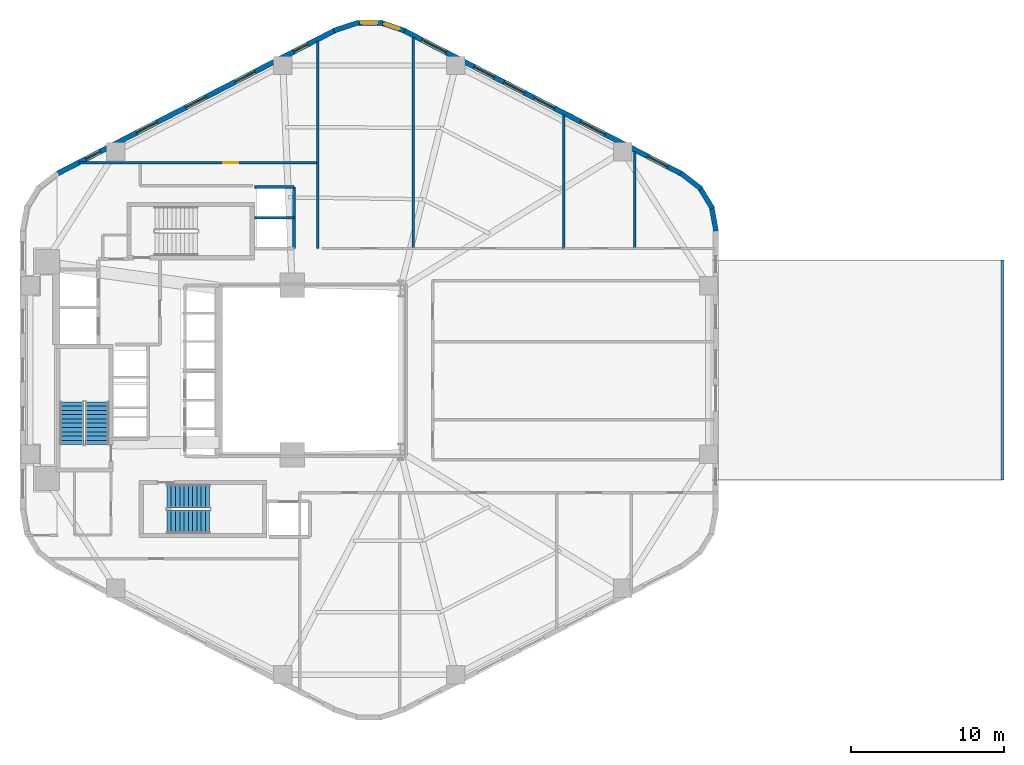
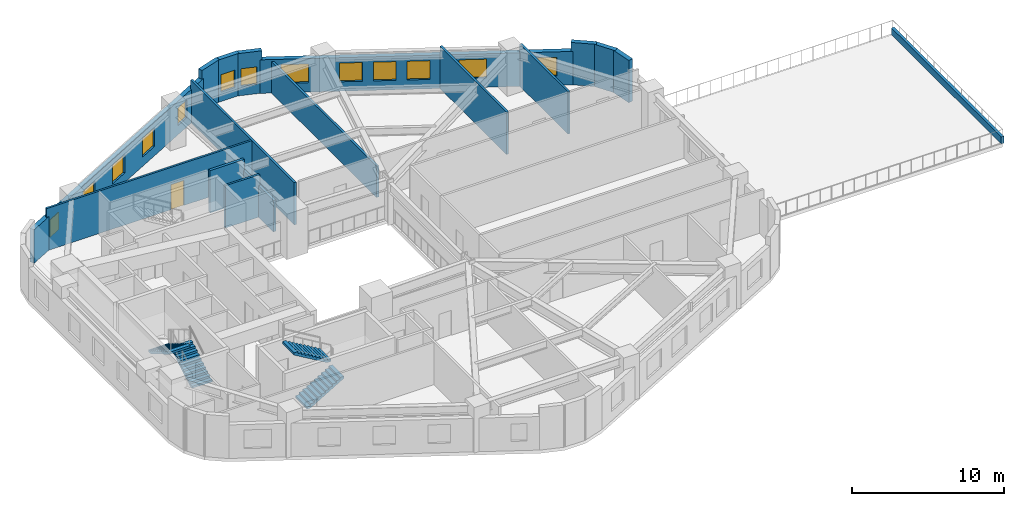
# One storey, part 5 of 8: 17 walls, 13 windows, 4 stair flights, 1 door, 14 openings, 2 elements without a shape of their own.
"""IFC4 building model written with IfcOpenShell, lengths in metres."""

from ifc_helpers import new_model, si_unit, direction, frame, frame_2d, origin, place, context, subcontext, project, spatial, polyline, rectangle, outline, extrude, material, layer, layer_set, type_object, element, fill, aggregate, save


model = new_model("IFC4")

# Units and contexts
model_context = context("Model", 3, precision=1e-05, world=origin(), true_north=direction((0.0, 1.0)))
body_context = subcontext(model_context, "Body", "Model", "MODEL_VIEW")
ifc_project = project(units=[si_unit("LENGTHUNIT", "METRE"), si_unit("AREAUNIT", "SQUARE_METRE"), si_unit("VOLUMEUNIT", "CUBIC_METRE"), si_unit("PLANEANGLEUNIT", "RADIAN"), si_unit("MASSUNIT", "GRAM", prefix="KILO"), si_unit("THERMODYNAMICTEMPERATUREUNIT", "KELVIN"), si_unit("POWERUNIT", "WATT")], contexts=[model_context])

# Site, building, storey
site_placement = place(None, origin())
site = spatial("IfcSite", under=ifc_project, at=site_placement, CompositionType="ELEMENT")
building_placement = place(site_placement, origin())
building = spatial("IfcBuilding", under=site, at=building_placement, Name="Skarre Station Tower", CompositionType="ELEMENT")
storey_placement = place(building_placement, frame((0.0, 0.0, 63.5)))
storey = spatial("IfcBuildingStorey", under=building, at=storey_placement, Name="L16", CompositionType="ELEMENT", Elevation=63.5)

# Wall, opening, door
ifc_material_1 = material(Name="Acoustic Steel-Stud Gypsum Partition", Category="steel")
ifc_layer_1 = layer(ifc_material_1, 0.14990234375, Name="Acoustic Steel-Stud Gypsum Partition")
ifc_layer_set_1 = layer_set([ifc_layer_1], Name="Acoustic Steel-Stud Gypsum Partition")
wall_type_1 = type_object("IfcWallType", Name="Fire-Rated Corridor Acoustic Partition 150", PredefinedType="PARTITIONING", material=ifc_layer_set_1)
wall_1_placement = place(storey_placement, frame((34.0, 37.580078125, 0.0), z_axis=(0.0, 0.0, 1.0), x_axis=(-1.0, 0.0, 0.0)))
wall_1 = element("IfcWall", 1, at=wall_1_placement, inside=storey, type_object=wall_type_1, Name="L16 Interior Partition WL-PT-L16-NWW1-CW", PredefinedType="PARTITIONING", context=body_context, shape_type="SweptSolid", body=[
    extrude(rectangle(XDim=15.60009765625, YDim=0.14990234375, at=frame_2d((7.800048828125, 0.0))), origin(), (0.0, 0.0, 1.0), 3.389892578125),
])
opening_1_placement = place(wall_1_placement, frame((5.195068359375, 0.0, 0.0)))
opening_1 = element("IfcOpeningElement", 2, at=opening_1_placement, cuts=wall_1, Name="Opening DR-FD60", PredefinedType="OPENING", context=body_context, shape_type="SweptSolid", body=[
    extrude(rectangle(XDim=0.9599609375, YDim=2.0, at=frame_2d((0.47998046875, 1.0))), frame((0.0, 0.0849609375, 0.0), z_axis=(0.0, -1.0, 0.0), x_axis=(1.0, 0.0, 0.0)), (0.0, 0.0, 1.0), 0.169921875),
])
ifc_material_2 = material(Name="Nordic White-Oak Veneer Solid-Core Fire Leaf", Category="wood")
door_type = type_object("IfcDoorType", Name="Corridor Suite Entry Fire Door FD60 960x2150", OperationType="SINGLE_SWING_LEFT", PredefinedType="DOOR", material=ifc_material_2)
door_placement = place(opening_1_placement, origin())
door = element("IfcDoor", 3, at=door_placement, inside=storey, type_object=door_type, Name="L16 NWW1 Entry Door", OperationType="SINGLE_SWING_LEFT", OverallHeight=2.0, OverallWidth=0.9599609375, PredefinedType="DOOR", context=body_context, shape_type="SweptSolid", body=[
    extrude(rectangle(XDim=0.9599609375, YDim=2.0, at=frame_2d((0.47998046875, 1.0))), frame((0.0, 0.02490234375, 0.0), z_axis=(0.0, -1.0, 0.0), x_axis=(1.0, 0.0, 0.0)), (0.0, 0.0, 1.0), 0.050048828125),
])
fill(opening_1, door)

# Wall, openings, windows
ifc_material_3 = material(Name="Precast concrete C45/55", Category="concrete")
ifc_layer_2 = layer(ifc_material_3, 0.340087890625, Name="Precast concrete C45/55")
ifc_layer_set_2 = layer_set([ifc_layer_2], Name="Precast concrete C45/55")
wall_type_2 = type_object("IfcWallType", Name="Nordic Honed Precast Facet Wall 340", PredefinedType="STANDARD", material=ifc_layer_set_2)
wall_2_placement = place(storey_placement, frame((39.631103515625, 46.257080078125, 0.0), z_axis=(0.0, 0.0, 1.0), x_axis=(0.888634413993, -0.458616264721, 0.0)))
wall_2 = element("IfcWall", 4, at=wall_2_placement, inside=storey, type_object=wall_type_2, Name="L16 Facet 0 Nordic Precast Masonry Wall", PredefinedType="STANDARD", context=body_context, shape_type="SweptSolid", body=[
    extrude(rectangle(XDim=20.53125, YDim=0.340087890625, at=frame_2d((10.265625, 0.0))), origin(), (0.0, 0.0, 1.0), 2.68408203125),
])
opening_2_placement = place(wall_2_placement, frame((1.366943359375, 0.0, 0.75)))
opening_2 = element("IfcOpeningElement", 5, at=opening_2_placement, cuts=wall_2, Name="Opening WN-Z1A", PredefinedType="OPENING", context=body_context, shape_type="SweptSolid", body=[
    extrude(rectangle(XDim=1.800048828125, YDim=1.5, at=frame_2d((0.89990234375, 0.75))), frame((0.0, 0.179931640625, 0.0), z_axis=(0.0, -1.0, 0.0), x_axis=(1.0, 0.0, 0.0)), (0.0, 0.0, 1.0), 0.360107421875),
])
opening_3_placement = place(wall_2_placement, frame((5.20703125, 0.0, 0.75)))
opening_3 = element("IfcOpeningElement", 6, at=opening_3_placement, cuts=wall_2, Name="Opening WN-Z1B", PredefinedType="OPENING", context=body_context, shape_type="SweptSolid", body=[
    extrude(rectangle(XDim=1.5, YDim=1.5, at=frame_2d((0.75, 0.75))), frame((0.0, 0.179931640625, 0.0), z_axis=(0.0, -1.0, 0.0), x_axis=(1.0, 0.0, 0.0)), (0.0, 0.0, 1.0), 0.360107421875),
])
opening_4_placement = place(wall_2_placement, frame((7.428955078125, 0.0, 0.75)))
opening_4 = element("IfcOpeningElement", 7, at=opening_4_placement, cuts=wall_2, Name="Opening WN-Z1B", PredefinedType="OPENING", context=body_context, shape_type="SweptSolid", body=[
    extrude(rectangle(XDim=1.5, YDim=1.5, at=frame_2d((0.75, 0.75))), frame((0.0, 0.179931640625, 0.0), z_axis=(0.0, -1.0, 0.0), x_axis=(1.0, 0.0, 0.0)), (0.0, 0.0, 1.0), 0.360107421875),
])
opening_5_placement = place(wall_2_placement, frame((9.64990234375, 0.0, 0.75)))
opening_5 = element("IfcOpeningElement", 8, at=opening_5_placement, cuts=wall_2, Name="Opening WN-Z1B", PredefinedType="OPENING", context=body_context, shape_type="SweptSolid", body=[
    extrude(rectangle(XDim=1.5, YDim=1.5, at=frame_2d((0.75, 0.75))), frame((0.0, 0.179931640625, 0.0), z_axis=(0.0, -1.0, 0.0), x_axis=(1.0, 0.0, 0.0)), (0.0, 0.0, 1.0), 0.360107421875),
])
opening_6_placement = place(wall_2_placement, frame((13.06005859375, 0.0, 0.75)))
opening_6 = element("IfcOpeningElement", 9, at=opening_6_placement, cuts=wall_2, Name="Opening WN-Z1A", PredefinedType="OPENING", context=body_context, shape_type="SweptSolid", body=[
    extrude(rectangle(XDim=1.800048828125, YDim=1.5, at=frame_2d((0.89990234375, 0.75))), frame((0.0, 0.179931640625, 0.0), z_axis=(0.0, -1.0, 0.0), x_axis=(1.0, 0.0, 0.0)), (0.0, 0.0, 1.0), 0.360107421875),
])
opening_7_placement = place(wall_2_placement, frame((17.97998046875, 0.0, 0.75)))
opening_7 = element("IfcOpeningElement", 10, at=opening_7_placement, cuts=wall_2, Name="Opening WN-Z1B", PredefinedType="OPENING", context=body_context, shape_type="SweptSolid", body=[
    extrude(rectangle(XDim=1.5, YDim=1.5, at=frame_2d((0.75, 0.75))), frame((0.0, 0.179931640625, 0.0), z_axis=(0.0, -1.0, 0.0), x_axis=(1.0, 0.0, 0.0)), (0.0, 0.0, 1.0), 0.360107421875),
])
ifc_material_4 = material(Name="Low-Iron Triple Glazing with Bronze Anodized Frame", Category="glass")
window_type_1 = type_object("IfcWindowType", Name="Nordic Punched Triple-Glazed Window 1500x1500", PartitioningType="SINGLE_PANEL", PredefinedType="WINDOW", material=ifc_material_4)
window_1_placement = place(opening_3_placement, origin())
window_1 = element("IfcWindow", 11, at=window_1_placement, inside=storey, type_object=window_type_1, Name="L16 Facade Window WL-FAC-L16-F0-2", OverallHeight=1.5, OverallWidth=1.5, PartitioningType="SINGLE_PANEL", PredefinedType="WINDOW", context=body_context, shape_type="SweptSolid", body=[
    extrude(rectangle(XDim=1.5, YDim=1.5, at=frame_2d((0.75, 0.75))), frame((0.0, 0.030029296875, 0.0), z_axis=(0.0, -1.0, 0.0), x_axis=(1.0, 0.0, 0.0)), (0.0, 0.0, 1.0), 0.06005859375),
])
fill(opening_3, window_1)
window_2_placement = place(opening_4_placement, origin())
window_2 = element("IfcWindow", 12, at=window_2_placement, inside=storey, type_object=window_type_1, Name="L16 Facade Window WL-FAC-L16-F0-3", OverallHeight=1.5, OverallWidth=1.5, PartitioningType="SINGLE_PANEL", PredefinedType="WINDOW", context=body_context, shape_type="SweptSolid", body=[
    extrude(rectangle(XDim=1.5, YDim=1.5, at=frame_2d((0.75, 0.75))), frame((0.0, 0.030029296875, 0.0), z_axis=(0.0, -1.0, 0.0), x_axis=(1.0, 0.0, 0.0)), (0.0, 0.0, 1.0), 0.06005859375),
])
fill(opening_4, window_2)
window_3_placement = place(opening_5_placement, origin())
window_3 = element("IfcWindow", 13, at=window_3_placement, inside=storey, type_object=window_type_1, Name="L16 Facade Window WL-FAC-L16-F0-4", OverallHeight=1.5, OverallWidth=1.5, PartitioningType="SINGLE_PANEL", PredefinedType="WINDOW", context=body_context, shape_type="SweptSolid", body=[
    extrude(rectangle(XDim=1.5, YDim=1.5, at=frame_2d((0.75, 0.75))), frame((0.0, 0.030029296875, 0.0), z_axis=(0.0, -1.0, 0.0), x_axis=(1.0, 0.0, 0.0)), (0.0, 0.0, 1.0), 0.06005859375),
])
fill(opening_5, window_3)
window_4_placement = place(opening_7_placement, origin())
window_4 = element("IfcWindow", 14, at=window_4_placement, inside=storey, type_object=window_type_1, Name="L16 Facade Window WL-FAC-L16-F0-6", OverallHeight=1.5, OverallWidth=1.5, PartitioningType="SINGLE_PANEL", PredefinedType="WINDOW", context=body_context, shape_type="SweptSolid", body=[
    extrude(rectangle(XDim=1.5, YDim=1.5, at=frame_2d((0.75, 0.75))), frame((0.0, 0.030029296875, 0.0), z_axis=(0.0, -1.0, 0.0), x_axis=(1.0, 0.0, 0.0)), (0.0, 0.0, 1.0), 0.06005859375),
])
fill(opening_7, window_4)
window_type_2 = type_object("IfcWindowType", Name="Nordic Punched Triple-Glazed Window 1800x1500", PartitioningType="SINGLE_PANEL", PredefinedType="WINDOW", material=ifc_material_4)
window_5_placement = place(opening_2_placement, origin())
window_5 = element("IfcWindow", 15, at=window_5_placement, inside=storey, type_object=window_type_2, Name="L16 Facade Window WL-FAC-L16-F0-1", OverallHeight=1.5, OverallWidth=1.800048828125, PartitioningType="SINGLE_PANEL", PredefinedType="WINDOW", context=body_context, shape_type="SweptSolid", body=[
    extrude(rectangle(XDim=1.800048828125, YDim=1.5, at=frame_2d((0.89990234375, 0.75))), frame((0.0, 0.030029296875, 0.0), z_axis=(0.0, -1.0, 0.0), x_axis=(1.0, 0.0, 0.0)), (0.0, 0.0, 1.0), 0.06005859375),
])
fill(opening_2, window_5)
window_6_placement = place(opening_6_placement, origin())
window_6 = element("IfcWindow", 16, at=window_6_placement, inside=storey, type_object=window_type_2, Name="L16 Facade Window WL-FAC-L16-F0-5", OverallHeight=1.5, OverallWidth=1.800048828125, PartitioningType="SINGLE_PANEL", PredefinedType="WINDOW", context=body_context, shape_type="SweptSolid", body=[
    extrude(rectangle(XDim=1.800048828125, YDim=1.5, at=frame_2d((0.89990234375, 0.75))), frame((0.0, 0.030029296875, 0.0), z_axis=(0.0, -1.0, 0.0), x_axis=(1.0, 0.0, 0.0)), (0.0, 0.0, 1.0), 0.06005859375),
])
fill(opening_6, window_6)

wall_3_placement = place(storey_placement, frame((16.924072265625, 36.841064453125, 0.0), z_axis=(0.0, 0.0, 1.0), x_axis=(0.888634413993, 0.458616264721, 0.0)))
wall_3 = element("IfcWall", 17, at=wall_3_placement, inside=storey, type_object=wall_type_2, Name="L16 Facet 1 Nordic Precast Masonry Wall", PredefinedType="STANDARD", context=body_context, shape_type="SweptSolid", body=[
    extrude(rectangle(XDim=20.53125, YDim=0.340087890625, at=frame_2d((10.265625, 0.0))), origin(), (0.0, 0.0, 1.0), 2.68408203125),
])
opening_8_placement = place(wall_3_placement, frame((2.160888671875, 0.0, 0.75)))
opening_8 = element("IfcOpeningElement", 18, at=opening_8_placement, cuts=wall_3, Name="Opening WN-SLT", PredefinedType="OPENING", context=body_context, shape_type="SweptSolid", body=[
    extrude(rectangle(XDim=1.050048828125, YDim=1.39990234375, at=frame_2d((0.52490234375, 0.699951171875))), frame((0.0, 0.179931640625, 0.0), z_axis=(0.0, -1.0, 0.0), x_axis=(1.0, 0.0, 0.0)), (0.0, 0.0, 1.0), 0.360107421875),
])
opening_9_placement = place(wall_3_placement, frame((5.903076171875, 0.0, 0.75)))
opening_9 = element("IfcOpeningElement", 19, at=opening_9_placement, cuts=wall_3, Name="Opening WN-Z1B", PredefinedType="OPENING", context=body_context, shape_type="SweptSolid", body=[
    extrude(rectangle(XDim=1.5, YDim=1.5, at=frame_2d((0.75, 0.75))), frame((0.0, 0.179931640625, 0.0), z_axis=(0.0, -1.0, 0.0), x_axis=(1.0, 0.0, 0.0)), (0.0, 0.0, 1.0), 0.360107421875),
])
opening_10_placement = place(wall_3_placement, frame((9.51611328125, 0.0, 0.75)))
opening_10 = element("IfcOpeningElement", 20, at=opening_10_placement, cuts=wall_3, Name="Opening WN-Z1B", PredefinedType="OPENING", context=body_context, shape_type="SweptSolid", body=[
    extrude(rectangle(XDim=1.5, YDim=1.5, at=frame_2d((0.75, 0.75))), frame((0.0, 0.179931640625, 0.0), z_axis=(0.0, -1.0, 0.0), x_axis=(1.0, 0.0, 0.0)), (0.0, 0.0, 1.0), 0.360107421875),
])
opening_11_placement = place(wall_3_placement, frame((13.12890625, 0.0, 0.75)))
opening_11 = element("IfcOpeningElement", 21, at=opening_11_placement, cuts=wall_3, Name="Opening WN-Z1B", PredefinedType="OPENING", context=body_context, shape_type="SweptSolid", body=[
    extrude(rectangle(XDim=1.5, YDim=1.5, at=frame_2d((0.75, 0.75))), frame((0.0, 0.179931640625, 0.0), z_axis=(0.0, -1.0, 0.0), x_axis=(1.0, 0.0, 0.0)), (0.0, 0.0, 1.0), 0.360107421875),
])
opening_12_placement = place(wall_3_placement, frame((17.47607421875, 0.0, 0.75)))
opening_12 = element("IfcOpeningElement", 22, at=opening_12_placement, cuts=wall_3, Name="Opening WN-SLT", PredefinedType="OPENING", context=body_context, shape_type="SweptSolid", body=[
    extrude(rectangle(XDim=1.050048828125, YDim=1.39990234375, at=frame_2d((0.52490234375, 0.699951171875))), frame((0.0, 0.179931640625, 0.0), z_axis=(0.0, -1.0, 0.0), x_axis=(1.0, 0.0, 0.0)), (0.0, 0.0, 1.0), 0.360107421875),
])
window_type_3 = type_object("IfcWindowType", Name="Nordic Corner Slot Window 1050x1400", PartitioningType="SINGLE_PANEL", PredefinedType="WINDOW", material=ifc_material_4)
window_7_placement = place(opening_8_placement, origin())
window_7 = element("IfcWindow", 23, at=window_7_placement, inside=storey, type_object=window_type_3, Name="L16 Facade Window WL-FAC-L16-F1-1", OverallHeight=1.39990234375, OverallWidth=1.050048828125, PartitioningType="SINGLE_PANEL", PredefinedType="WINDOW", context=body_context, shape_type="SweptSolid", body=[
    extrude(rectangle(XDim=1.050048828125, YDim=1.39990234375, at=frame_2d((0.52490234375, 0.699951171875))), frame((0.0, 0.030029296875, 0.0), z_axis=(0.0, -1.0, 0.0), x_axis=(1.0, 0.0, 0.0)), (0.0, 0.0, 1.0), 0.06005859375),
])
fill(opening_8, window_7)
window_8_placement = place(opening_12_placement, origin())
window_8 = element("IfcWindow", 24, at=window_8_placement, inside=storey, type_object=window_type_3, Name="L16 Facade Window WL-FAC-L16-F1-5", OverallHeight=1.39990234375, OverallWidth=1.050048828125, PartitioningType="SINGLE_PANEL", PredefinedType="WINDOW", context=body_context, shape_type="SweptSolid", body=[
    extrude(rectangle(XDim=1.050048828125, YDim=1.39990234375, at=frame_2d((0.52490234375, 0.699951171875))), frame((0.0, 0.030029296875, 0.0), z_axis=(0.0, -1.0, 0.0), x_axis=(1.0, 0.0, 0.0)), (0.0, 0.0, 1.0), 0.06005859375),
])
fill(opening_12, window_8)
window_9_placement = place(opening_9_placement, origin())
window_9 = element("IfcWindow", 25, at=window_9_placement, inside=storey, type_object=window_type_1, Name="L16 Facade Window WL-FAC-L16-F1-2", OverallHeight=1.5, OverallWidth=1.5, PartitioningType="SINGLE_PANEL", PredefinedType="WINDOW", context=body_context, shape_type="SweptSolid", body=[
    extrude(rectangle(XDim=1.5, YDim=1.5, at=frame_2d((0.75, 0.75))), frame((0.0, 0.030029296875, 0.0), z_axis=(0.0, -1.0, 0.0), x_axis=(1.0, 0.0, 0.0)), (0.0, 0.0, 1.0), 0.06005859375),
])
fill(opening_9, window_9)
window_10_placement = place(opening_10_placement, origin())
window_10 = element("IfcWindow", 26, at=window_10_placement, inside=storey, type_object=window_type_1, Name="L16 Facade Window WL-FAC-L16-F1-3", OverallHeight=1.5, OverallWidth=1.5, PartitioningType="SINGLE_PANEL", PredefinedType="WINDOW", context=body_context, shape_type="SweptSolid", body=[
    extrude(rectangle(XDim=1.5, YDim=1.5, at=frame_2d((0.75, 0.75))), frame((0.0, 0.030029296875, 0.0), z_axis=(0.0, -1.0, 0.0), x_axis=(1.0, 0.0, 0.0)), (0.0, 0.0, 1.0), 0.06005859375),
])
fill(opening_10, window_10)
window_11_placement = place(opening_11_placement, origin())
window_11 = element("IfcWindow", 27, at=window_11_placement, inside=storey, type_object=window_type_1, Name="L16 Facade Window WL-FAC-L16-F1-4", OverallHeight=1.5, OverallWidth=1.5, PartitioningType="SINGLE_PANEL", PredefinedType="WINDOW", context=body_context, shape_type="SweptSolid", body=[
    extrude(rectangle(XDim=1.5, YDim=1.5, at=frame_2d((0.75, 0.75))), frame((0.0, 0.030029296875, 0.0), z_axis=(0.0, -1.0, 0.0), x_axis=(1.0, 0.0, 0.0)), (0.0, 0.0, 1.0), 0.06005859375),
])
fill(opening_11, window_11)

# Walls
ifc_layer_3 = layer(ifc_material_3, 0.330078125, Name="Precast concrete C45/55")
ifc_layer_set_3 = layer_set([ifc_layer_3], Name="Precast concrete C45/55")
wall_type_3 = type_object("IfcWallType", Name="Nordic Rounded Corner Precast Wall 330", PredefinedType="STANDARD", material=ifc_layer_set_3)
wall_4_placement = place(storey_placement, frame((57.802001953125, 36.90087890625, 0.0), z_axis=(0.0, 0.0, 1.0), x_axis=(0.790691856293, -0.61221433207, 0.0)))
element("IfcWall", 28, at=wall_4_placement, inside=storey, type_object=wall_type_3, Name="L16 Rounded Corner Precast Wall F0-1", PredefinedType="STANDARD", context=body_context, shape_type="SweptSolid", body=[
    extrude(rectangle(XDim=1.67578125, YDim=0.330078125, at=frame_2d((0.837890625, 0.0))), origin(), (0.0, 0.0, 1.0), 3.389892578125),
])
wall_5_placement = place(storey_placement, frame((59.001953125, 36.014892578125, 0.0), z_axis=(0.0, 0.0, 1.0), x_axis=(0.520584129191, -0.853810379671, 0.0)))
element("IfcWall", 29, at=wall_5_placement, inside=storey, type_object=wall_type_3, Name="L16 Rounded Corner Precast Wall F0-2", PredefinedType="STANDARD", context=body_context, shape_type="SweptSolid", body=[
    extrude(rectangle(XDim=1.677001953125, YDim=0.330078125, at=frame_2d((0.83837890625, 0.0))), origin(), (0.0, 0.0, 1.0), 3.389892578125),
])
wall_6_placement = place(storey_placement, frame((59.80810546875, 34.758056640625, 0.0), z_axis=(0.0, 0.0, 1.0), x_axis=(0.181714143354, -0.983351397063, 0.0)))
element("IfcWall", 30, at=wall_6_placement, inside=storey, type_object=wall_type_3, Name="L16 Rounded Corner Precast Wall F0-3", PredefinedType="STANDARD", context=body_context, shape_type="SweptSolid", body=[
    extrude(rectangle(XDim=1.677978515625, YDim=0.330078125, at=frame_2d((0.8388671875, 0.0))), origin(), (0.0, 0.0, 1.0), 3.389892578125),
])
wall_7_placement = place(storey_placement, frame((35.0810546875, 46.23095703125, 0.0), z_axis=(0.0, 0.0, 1.0), x_axis=(0.94976901097, 0.312951794691, 0.0)))
element("IfcWall", 31, at=wall_7_placement, inside=storey, type_object=wall_type_3, Name="L16 Rounded Corner Precast Wall F1-1", PredefinedType="STANDARD", context=body_context, shape_type="SweptSolid", body=[
    extrude(rectangle(XDim=1.722412109375, YDim=0.330078125, at=frame_2d((0.861328125, 0.0))), origin(), (0.0, 0.0, 1.0), 3.389892578125),
])

# Wall, opening, window
wall_8_placement = place(storey_placement, frame((36.5390625, 46.740966796875, 0.0), z_axis=(0.0, 0.0, 1.0), x_axis=(1.0, 0.0, 0.0)))
wall_8 = element("IfcWall", 32, at=wall_8_placement, inside=storey, type_object=wall_type_3, Name="L16 Rounded Corner Precast Wall F1-2", PredefinedType="STANDARD", context=body_context, shape_type="SweptSolid", body=[
    extrude(rectangle(XDim=1.721923828125, YDim=0.330078125, at=frame_2d((0.86083984375, 0.0))), origin(), (0.0, 0.0, 1.0), 3.389892578125),
])
opening_13_placement = place(wall_8_placement, frame((0.3359375, 0.0, 0.75)))
opening_13 = element("IfcOpeningElement", 33, at=opening_13_placement, cuts=wall_8, Name="Opening WN-SLT", PredefinedType="OPENING", context=body_context, shape_type="SweptSolid", body=[
    extrude(rectangle(XDim=1.050048828125, YDim=1.39990234375, at=frame_2d((0.52490234375, 0.699951171875))), frame((0.0, 0.175048828125, 0.0), z_axis=(0.0, -1.0, 0.0), x_axis=(1.0, 0.0, 0.0)), (0.0, 0.0, 1.0), 0.35009765625),
])
window_12_placement = place(opening_13_placement, origin())
window_12 = element("IfcWindow", 34, at=window_12_placement, inside=storey, type_object=window_type_3, Name="L16 Apex Corner Slot Window F1-2", OverallHeight=1.39990234375, OverallWidth=1.050048828125, PartitioningType="SINGLE_PANEL", PredefinedType="WINDOW", context=body_context, shape_type="SweptSolid", body=[
    extrude(rectangle(XDim=1.050048828125, YDim=1.39990234375, at=frame_2d((0.52490234375, 0.699951171875))), frame((0.0, 0.030029296875, 0.0), z_axis=(0.0, -1.0, 0.0), x_axis=(1.0, 0.0, 0.0)), (0.0, 0.0, 1.0), 0.06005859375),
])
fill(opening_13, window_12)

wall_9_placement = place(storey_placement, frame((38.0830078125, 46.77001953125, 0.0), z_axis=(0.0, 0.0, 1.0), x_axis=(0.94976901097, -0.312951794691, 0.0)))
wall_9 = element("IfcWall", 35, at=wall_9_placement, inside=storey, type_object=wall_type_3, Name="L16 Rounded Corner Precast Wall F1-3", PredefinedType="STANDARD", context=body_context, shape_type="SweptSolid", body=[
    extrude(rectangle(XDim=1.722412109375, YDim=0.330078125, at=frame_2d((0.861328125, 0.0))), origin(), (0.0, 0.0, 1.0), 3.389892578125),
])
opening_14_placement = place(wall_9_placement, frame((0.3359375, 0.0, 0.75)))
opening_14 = element("IfcOpeningElement", 36, at=opening_14_placement, cuts=wall_9, Name="Opening WN-SLT", PredefinedType="OPENING", context=body_context, shape_type="SweptSolid", body=[
    extrude(rectangle(XDim=1.050048828125, YDim=1.39990234375, at=frame_2d((0.52490234375, 0.699951171875))), frame((0.0, 0.175048828125, 0.0), z_axis=(0.0, -1.0, 0.0), x_axis=(1.0, 0.0, 0.0)), (0.0, 0.0, 1.0), 0.35009765625),
])
window_13_placement = place(opening_14_placement, origin())
window_13 = element("IfcWindow", 37, at=window_13_placement, inside=storey, type_object=window_type_3, Name="L16 Apex Corner Slot Window F1-3", OverallHeight=1.39990234375, OverallWidth=1.050048828125, PartitioningType="SINGLE_PANEL", PredefinedType="WINDOW", context=body_context, shape_type="SweptSolid", body=[
    extrude(rectangle(XDim=1.050048828125, YDim=1.39990234375, at=frame_2d((0.52490234375, 0.699951171875))), frame((0.0, 0.030029296875, 0.0), z_axis=(0.0, -1.0, 0.0), x_axis=(1.0, 0.0, 0.0)), (0.0, 0.0, 1.0), 0.06005859375),
])
fill(opening_14, window_13)

# Walls
ifc_material_5 = material(Name="Gypsum Concrete Shaft Assembly C30/37", Category="concrete")
ifc_layer_4 = layer(ifc_material_5, 0.199951171875, Name="Gypsum Concrete Shaft Assembly C30/37")
ifc_layer_set_4 = layer_set([ifc_layer_4], Name="Gypsum Concrete Shaft Assembly C30/37")
wall_type_4 = type_object("IfcWallType", Name="Shaft & Core Fire Partition 200", PredefinedType="PARTITIONING", material=ifc_layer_set_4)
wall_10_placement = place(storey_placement, frame((32.47998046875, 31.949951171875, 0.0), z_axis=(0.0, 0.0, 1.0), x_axis=(0.0, 1.0, 0.0)))
element("IfcWall", 38, at=wall_10_placement, inside=storey, type_object=wall_type_4, Name="L16 Interior Partition WL-PT-L16-EX-E", PredefinedType="PARTITIONING", context=body_context, shape_type="SweptSolid", body=[
    extrude(rectangle(XDim=4.050048828125, YDim=0.199951171875, at=frame_2d((2.02490234375, 0.0))), origin(), (0.0, 0.0, 1.0), 2.512939453125),
])
wall_11_placement = place(storey_placement, frame((29.8798828125, 36.0, 0.0), z_axis=(0.0, 0.0, 1.0), x_axis=(1.0, 0.0, 0.0)))
element("IfcWall", 39, at=wall_11_placement, inside=storey, type_object=wall_type_4, Name="L16 Interior Partition WL-PT-L16-EX-N", PredefinedType="PARTITIONING", context=body_context, shape_type="SweptSolid", body=[
    extrude(rectangle(XDim=2.60009765625, YDim=0.199951171875, at=frame_2d((1.300048828125, 0.0))), origin(), (0.0, 0.0, 1.0), 3.389892578125),
])
wall_12_placement = place(storey_placement, frame((29.875, 33.97998046875, 0.0), z_axis=(0.0, 0.0, 1.0), x_axis=(1.0, 0.0, 0.0)))
element("IfcWall", 40, at=wall_12_placement, inside=storey, type_object=wall_type_4, Name="L16 Interior Partition WL-PT-L16-EX-DIV", PredefinedType="PARTITIONING", context=body_context, shape_type="SweptSolid", body=[
    extrude(rectangle(XDim=2.60498046875, YDim=0.159912109375, at=frame_2d((1.302490234375, 0.0))), origin(), (0.0, 0.0, 1.0), 3.389892578125),
])
ifc_material_6 = material(Name="Precast concrete C40/50", Category="concrete")
ifc_layer_5 = layer(ifc_material_6, 0.2099609375, Name="Precast concrete C40/50")
ifc_layer_set_5 = layer_set([ifc_layer_5], Name="Precast concrete C40/50")
wall_type_5 = type_object("IfcWallType", Name="Sky-Bar Terrace Parapet Wall 210", PredefinedType="PARAPET", material=ifc_layer_set_5)
wall_13_placement = place(storey_placement, frame((78.863037109375, 31.199951171875, 0.0), z_axis=(0.0, 0.0, 1.0), x_axis=(0.0, -1.0, 0.0)))
element("IfcWall", 41, at=wall_13_placement, inside=storey, type_object=wall_type_5, Name="L16 SB-1 Prow Parapet Upstand", PredefinedType="PARAPET", context=body_context, shape_type="SweptSolid", body=[
    extrude(rectangle(XDim=14.39990234375, YDim=0.2099609375, at=frame_2d((7.199951171875, 0.0))), origin(), (0.0, 0.0, 1.0), 0.550048828125),
])
ifc_layer_6 = layer(ifc_material_1, 0.1650390625, Name="Acoustic Steel-Stud Gypsum Partition")
ifc_layer_set_6 = layer_set([ifc_layer_6], Name="Acoustic Steel-Stud Gypsum Partition")
wall_type_6 = type_object("IfcWallType", Name="Suite Demising Acoustic Partition 165", PredefinedType="PARTITIONING", material=ifc_layer_set_6)
wall_14_placement = place(storey_placement, frame((34.0400390625, 31.9599609375, 0.0), z_axis=(0.0, 0.0, 1.0), x_axis=(0.0, 1.0, 0.0)))
element("IfcWall", 42, at=wall_14_placement, inside=storey, type_object=wall_type_6, Name="L16 Interior Partition WL-PT-L16-NW-WBND", PredefinedType="PARTITIONING", context=body_context, shape_type="SweptSolid", body=[
    extrude(rectangle(XDim=13.5791015625, YDim=0.1650390625, at=frame_2d((6.78955078125, 0.0))), origin(), (0.0, 0.0, 1.0), 3.389892578125),
])
wall_15_placement = place(storey_placement, frame((40.2919921875, 31.969970703125, 0.0), z_axis=(0.0, 0.0, 1.0), x_axis=(0.0, 1.0, 0.0)))
element("IfcWall", 43, at=wall_15_placement, inside=storey, type_object=wall_type_6, Name="L16 Interior Partition WL-PT-L16-NW-P1", PredefinedType="PARTITIONING", context=body_context, shape_type="SweptSolid", body=[
    extrude(rectangle(XDim=13.81103515625, YDim=0.1650390625, at=frame_2d((6.905517578125, 0.0))), origin(), (0.0, 0.0, 1.0), 2.512939453125),
])
wall_16_placement = place(storey_placement, frame((50.126953125, 31.969970703125, 0.0), z_axis=(0.0, 0.0, 1.0), x_axis=(0.0, 1.0, 0.0)))
element("IfcWall", 44, at=wall_16_placement, inside=storey, type_object=wall_type_6, Name="L16 Interior Partition WL-PT-L16-NW-P2", PredefinedType="PARTITIONING", context=body_context, shape_type="SweptSolid", body=[
    extrude(rectangle(XDim=8.735107421875, YDim=0.1650390625, at=frame_2d((4.36767578125, 0.0))), origin(), (0.0, 0.0, 1.0), 3.389892578125),
])
wall_17_placement = place(storey_placement, frame((54.785888671875, 31.969970703125, 0.0), z_axis=(0.0, 0.0, 1.0), x_axis=(0.0, 1.0, 0.0)))
element("IfcWall", 45, at=wall_17_placement, inside=storey, type_object=wall_type_6, Name="L16 Interior Partition WL-PT-L16-NW-P3", PredefinedType="PARTITIONING", context=body_context, shape_type="SweptSolid", body=[
    extrude(rectangle(XDim=6.3310546875, YDim=0.1650390625, at=frame_2d((3.16552734375, 0.0))), origin(), (0.0, 0.0, 1.0), 3.389892578125),
])

# Stair, stair flights
ifc_material_7 = material(Name="Concrete C40/50", Category="concrete")
stair_type_1 = type_object("IfcStairType", Name="Reinforced Concrete Exit Stair ST-1", PredefinedType="HALF_TURN_STAIR", material=ifc_material_7)
stair_1_placement = place(storey_placement, origin())
stair_1 = element("IfcStair", 46, at=stair_1_placement, inside=storey, type_object=stair_type_1, Name="L16 Core Exit Stair ST-1", PredefinedType="HALF_TURN_STAIR")
stair_flight_type_1 = type_object("IfcStairFlightType", Name="Reinforced Concrete Stair Flight ST-1", PredefinedType="STRAIGHT", material=ifc_material_7)
stair_flight_1_placement = place(storey_placement, frame((19.590087890625, 19.1201171875, 0.0), z_axis=(0.0, 0.0, 1.0), x_axis=(0.0, 1.0, 0.0)))
stair_flight_1 = element("IfcStairFlight", 47, at=stair_flight_1_placement, type_object=stair_flight_type_1, Name="ST-1 flight 1", NumberOfRisers=11, NumberOfTreads=10, PredefinedType="STRAIGHT", RiserHeight=0.165909091, TreadLength=0.28, context=body_context, shape_type="SweptSolid", body=[
    extrude(outline(polyline([(0.0, 0.0), (0.0, 0.166015625), (0.280029296875, 0.166015625), (0.280029296875, 0.331787109375), (0.56005859375, 0.331787109375), (0.56005859375, 0.497802734375), (0.840087890625, 0.497802734375), (0.840087890625, 0.66357421875), (1.1201171875, 0.66357421875), (1.1201171875, 0.82958984375), (1.39990234375, 0.82958984375), (1.39990234375, 0.995361328125), (1.679931640625, 0.995361328125), (1.679931640625, 1.161376953125), (1.9599609375, 1.161376953125), (1.9599609375, 1.327392578125), (2.239990234375, 1.327392578125), (2.239990234375, 1.4931640625), (2.52001953125, 1.4931640625), (2.52001953125, 1.6591796875), (2.800048828125, 1.6591796875), (2.800048828125, 1.824951171875), (2.800048828125, 1.48486328125), (0.2939453125, 0.0), (0.0, 0.0)])), frame((0.0, 0.760009765625, 0.0), z_axis=(0.0, -1.0, 0.0), x_axis=(1.0, 0.0, 0.0)), (0.0, 0.0, 1.0), 1.52001953125),
])
stair_flight_2_placement = place(storey_placement, frame((17.909912109375, 21.919921875, 1.824951171875), z_axis=(0.0, 0.0, 1.0), x_axis=(0.0, -1.0, 0.0)))
stair_flight_2 = element("IfcStairFlight", 48, at=stair_flight_2_placement, type_object=stair_flight_type_1, Name="ST-1 flight 2", NumberOfRisers=11, NumberOfTreads=10, PredefinedType="STRAIGHT", RiserHeight=0.165909091, TreadLength=0.28, context=body_context, shape_type="SweptSolid", body=[
    extrude(outline(polyline([(0.0, 0.0), (0.0, 0.166015625), (0.280029296875, 0.166015625), (0.280029296875, 0.331787109375), (0.56005859375, 0.331787109375), (0.56005859375, 0.497802734375), (0.840087890625, 0.497802734375), (0.840087890625, 0.66357421875), (1.1201171875, 0.66357421875), (1.1201171875, 0.82958984375), (1.39990234375, 0.82958984375), (1.39990234375, 0.995361328125), (1.679931640625, 0.995361328125), (1.679931640625, 1.161376953125), (1.9599609375, 1.161376953125), (1.9599609375, 1.327392578125), (2.239990234375, 1.327392578125), (2.239990234375, 1.4931640625), (2.52001953125, 1.4931640625), (2.52001953125, 1.6591796875), (2.800048828125, 1.6591796875), (2.800048828125, 1.824951171875), (2.800048828125, 1.48486328125), (0.2939453125, 0.0), (0.0, 0.0)])), frame((0.0, 0.760009765625, 0.0), z_axis=(0.0, -1.0, 0.0), x_axis=(1.0, 0.0, 0.0)), (0.0, 0.0, 1.0), 1.52001953125),
])
aggregate(stair_1, [stair_flight_1, stair_flight_2])

stair_type_2 = type_object("IfcStairType", Name="Reinforced Concrete Exit Stair ST-2", PredefinedType="HALF_TURN_STAIR", material=ifc_material_7)
stair_2_placement = place(storey_placement, origin())
stair_2 = element("IfcStair", 49, at=stair_2_placement, inside=storey, type_object=stair_type_2, Name="L16 Core Exit Stair ST-2", PredefinedType="HALF_TURN_STAIR")
stair_flight_type_2 = type_object("IfcStairFlightType", Name="Reinforced Concrete Stair Flight ST-2", PredefinedType="STRAIGHT", material=ifc_material_7)
stair_flight_3_placement = place(storey_placement, frame((24.14990234375, 14.06005859375, 0.0), z_axis=(0.0, 0.0, 1.0), x_axis=(1.0, 0.0, 0.0)))
stair_flight_3 = element("IfcStairFlight", 50, at=stair_flight_3_placement, type_object=stair_flight_type_2, Name="ST-2 flight 1", NumberOfRisers=11, NumberOfTreads=10, PredefinedType="STRAIGHT", RiserHeight=0.165909091, TreadLength=0.28, context=body_context, shape_type="SweptSolid", body=[
    extrude(outline(polyline([(0.0, 0.0), (0.0, 0.166015625), (0.280029296875, 0.166015625), (0.280029296875, 0.331787109375), (0.56005859375, 0.331787109375), (0.56005859375, 0.497802734375), (0.840087890625, 0.497802734375), (0.840087890625, 0.66357421875), (1.1201171875, 0.66357421875), (1.1201171875, 0.82958984375), (1.39990234375, 0.82958984375), (1.39990234375, 0.995361328125), (1.679931640625, 0.995361328125), (1.679931640625, 1.161376953125), (1.9599609375, 1.161376953125), (1.9599609375, 1.327392578125), (2.239990234375, 1.327392578125), (2.239990234375, 1.4931640625), (2.52001953125, 1.4931640625), (2.52001953125, 1.6591796875), (2.800048828125, 1.6591796875), (2.800048828125, 1.824951171875), (2.800048828125, 1.48486328125), (0.2939453125, 0.0), (0.0, 0.0)])), frame((0.0, 0.760009765625, 0.0), z_axis=(0.0, -1.0, 0.0), x_axis=(1.0, 0.0, 0.0)), (0.0, 0.0, 1.0), 1.52001953125),
])
stair_flight_4_placement = place(storey_placement, frame((26.949951171875, 15.739990234375, 1.824951171875), z_axis=(0.0, 0.0, 1.0), x_axis=(-1.0, 0.0, 0.0)))
stair_flight_4 = element("IfcStairFlight", 51, at=stair_flight_4_placement, type_object=stair_flight_type_2, Name="ST-2 flight 2", NumberOfRisers=11, NumberOfTreads=10, PredefinedType="STRAIGHT", RiserHeight=0.165909091, TreadLength=0.28, context=body_context, shape_type="SweptSolid", body=[
    extrude(outline(polyline([(0.0, 0.0), (0.0, 0.166015625), (0.280029296875, 0.166015625), (0.280029296875, 0.331787109375), (0.56005859375, 0.331787109375), (0.56005859375, 0.497802734375), (0.840087890625, 0.497802734375), (0.840087890625, 0.66357421875), (1.1201171875, 0.66357421875), (1.1201171875, 0.82958984375), (1.39990234375, 0.82958984375), (1.39990234375, 0.995361328125), (1.679931640625, 0.995361328125), (1.679931640625, 1.161376953125), (1.9599609375, 1.161376953125), (1.9599609375, 1.327392578125), (2.239990234375, 1.327392578125), (2.239990234375, 1.4931640625), (2.52001953125, 1.4931640625), (2.52001953125, 1.6591796875), (2.800048828125, 1.6591796875), (2.800048828125, 1.824951171875), (2.800048828125, 1.48486328125), (0.2939453125, 0.0), (0.0, 0.0)])), frame((0.0, 0.760009765625, 0.0), z_axis=(0.0, -1.0, 0.0), x_axis=(1.0, 0.0, 0.0)), (0.0, 0.0, 1.0), 1.52001953125),
])
aggregate(stair_2, [stair_flight_3, stair_flight_4])

save(model, "model.ifc")
